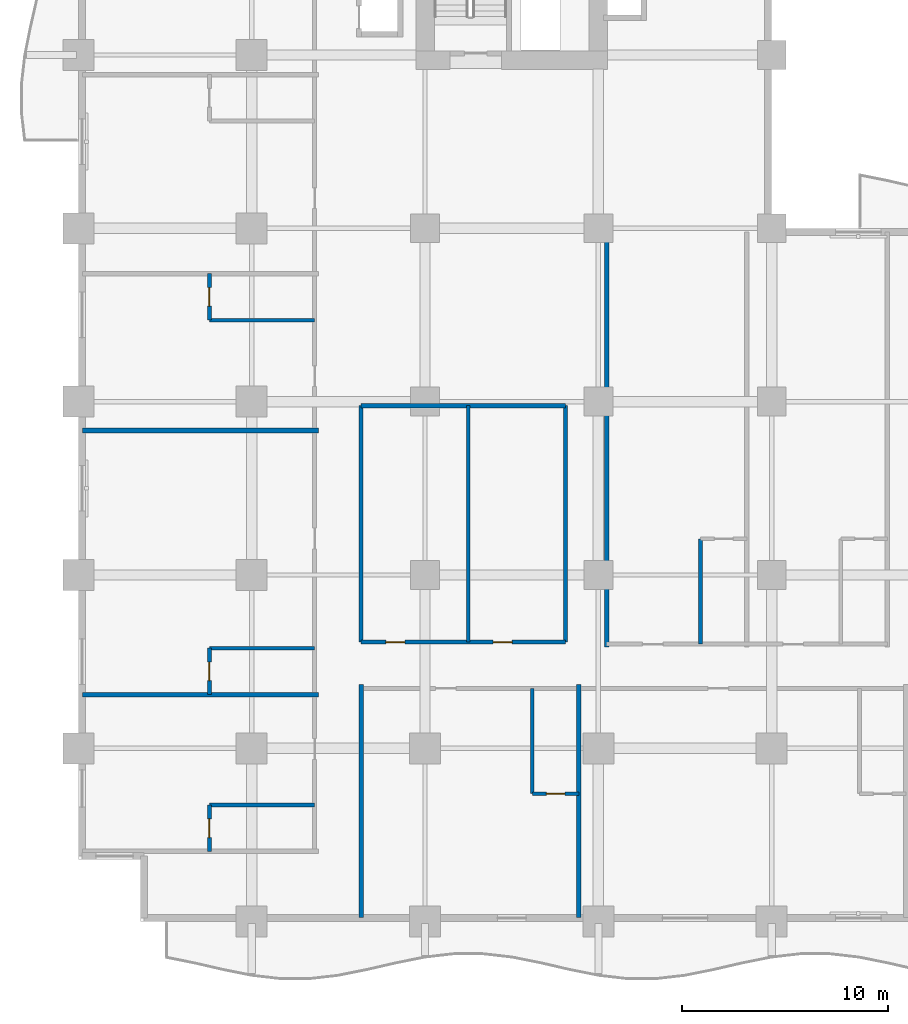
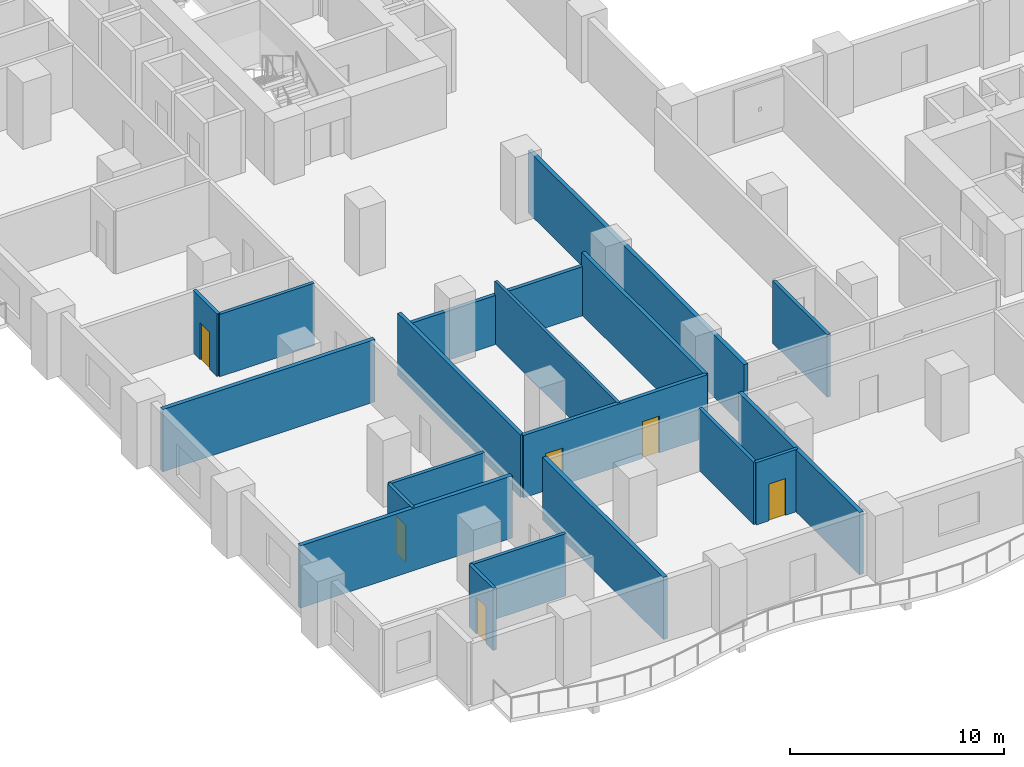
# One storey, part 4 of 20: 19 walls, 6 doors, 6 openings.
"""IFC4 building model written with IfcOpenShell, lengths in metres."""

from ifc_helpers import new_model, si_unit, direction, frame, frame_2d, origin, place, context, subcontext, project, spatial, rectangle, extrude, material, layer, layer_set, type_object, element, fill, save


model = new_model("IFC4")

# Units and contexts
model_context = context("Model", 3, precision=1e-05, world=origin(), true_north=direction((0.0, 1.0)))
body_context = subcontext(model_context, "Body", "Model", "MODEL_VIEW")
ifc_project = project(units=[si_unit("LENGTHUNIT", "METRE"), si_unit("AREAUNIT", "SQUARE_METRE"), si_unit("VOLUMEUNIT", "CUBIC_METRE"), si_unit("PLANEANGLEUNIT", "RADIAN"), si_unit("MASSUNIT", "GRAM", prefix="KILO")], contexts=[model_context])

# Site, building, storey
site_placement = place(None, origin())
site = spatial("IfcSite", under=ifc_project, at=site_placement, CompositionType="ELEMENT")
building_placement = place(site_placement, origin())
building = spatial("IfcBuilding", under=site, at=building_placement, Name="Koriwani Terraces Tower", CompositionType="ELEMENT")
storey_placement = place(building_placement, frame((0.0, 0.0, 73.800048828125)))
storey = spatial("IfcBuildingStorey", under=building, at=storey_placement, Name="L17", CompositionType="ELEMENT", Elevation=73.800048828125)

# Wall, openings, doors
ifc_material_1 = material(Name="Autoclaved Cellular Concrete Blockwork", Category="masonry")
ifc_layer_1 = layer(ifc_material_1, 0.199951171875, Name="Autoclaved Cellular Concrete Blockwork")
ifc_layer_set_1 = layer_set([ifc_layer_1], Name="Autoclaved Cellular Concrete Blockwork")
wall_type_1 = type_object("IfcWallType", Name="WALL_CORRIDOR_200", PredefinedType="PARTITIONING", material=ifc_layer_set_1)
wall_1_placement = place(storey_placement, frame((13.699951171875, 13.550048828125, 0.0), z_axis=(0.0, 0.0, 1.0), x_axis=(1.0, 0.0, 0.0)))
wall_1 = element("IfcWall", 1, at=wall_1_placement, inside=storey, type_object=wall_type_1, Name="L17 Interior Wall WHK-L17-S", PredefinedType="PARTITIONING", context=body_context, shape_type="SweptSolid", body=[
    extrude(rectangle(XDim=9.900146484375, YDim=0.199951171875, at=frame_2d((4.9501953125, 0.0))), origin(), (0.0, 0.0, 1.0), 3.550048828125),
])
opening_1_placement = place(wall_1_placement, frame((1.199951171875, 0.0, 0.0)))
opening_1 = element("IfcOpeningElement", 2, at=opening_1_placement, cuts=wall_1, Name="Opening D-06", PredefinedType="OPENING", context=body_context, shape_type="SweptSolid", body=[
    extrude(rectangle(XDim=0.919921875, YDim=2.10009765625, at=frame_2d((0.4599609375, 1.050048828125))), frame((0.0, 0.10986328125, 0.0), z_axis=(0.0, -1.0, 0.0), x_axis=(1.0, 0.0, 0.0)), (0.0, 0.0, 1.0), 0.219970703125),
])
opening_2_placement = place(wall_1_placement, frame((6.39990234375, 0.0, 0.0)))
opening_2 = element("IfcOpeningElement", 3, at=opening_2_placement, cuts=wall_1, Name="Opening D-06", PredefinedType="OPENING", context=body_context, shape_type="SweptSolid", body=[
    extrude(rectangle(XDim=0.919921875, YDim=2.10009765625, at=frame_2d((0.4599609375, 1.050048828125))), frame((0.0, 0.10986328125, 0.0), z_axis=(0.0, -1.0, 0.0), x_axis=(1.0, 0.0, 0.0)), (0.0, 0.0, 1.0), 0.219970703125),
])
ifc_material_2 = material(Name="Architectural Oak Fire Door", Category="wood")
door_type_1 = type_object("IfcDoorType", Name="DOOR_ROOM_INT_920X2100", OperationType="NOTDEFINED", PredefinedType="DOOR", material=ifc_material_2)
door_1_placement = place(opening_1_placement, origin())
door_1 = element("IfcDoor", 4, at=door_1_placement, inside=storey, type_object=door_type_1, Name="L17 Housekeeping and Linen Room Door", OperationType="SINGLE_SWING_LEFT", OverallHeight=2.10009765625, OverallWidth=0.919921875, PredefinedType="DOOR", context=body_context, shape_type="SweptSolid", body=[
    extrude(rectangle(XDim=0.919921875, YDim=2.10009765625, at=frame_2d((0.4599609375, 1.050048828125))), frame((0.0, 0.02490234375, 0.0), z_axis=(0.0, -1.0, 0.0), x_axis=(1.0, 0.0, 0.0)), (0.0, 0.0, 1.0), 0.050048828125),
])
fill(opening_1, door_1)
door_2_placement = place(opening_2_placement, origin())
door_2 = element("IfcDoor", 5, at=door_2_placement, inside=storey, type_object=door_type_1, Name="L17 Guest Study Lounge Door", OperationType="SINGLE_SWING_RIGHT", OverallHeight=2.10009765625, OverallWidth=0.919921875, PredefinedType="DOOR", context=body_context, shape_type="SweptSolid", body=[
    extrude(rectangle(XDim=0.919921875, YDim=2.10009765625, at=frame_2d((0.4599609375, 1.050048828125))), frame((0.0, 0.02490234375, 0.0), z_axis=(0.0, -1.0, 0.0), x_axis=(1.0, 0.0, 0.0)), (0.0, 0.0, 1.0), 0.050048828125),
])
fill(opening_2, door_2)

# Walls
wall_2_placement = place(storey_placement, frame((13.699951171875, 25.0, 0.0), z_axis=(0.0, 0.0, 1.0), x_axis=(1.0, 0.0, 0.0)))
element("IfcWall", 6, at=wall_2_placement, inside=storey, type_object=wall_type_1, Name="L17 Interior Wall WHK-L17-N", PredefinedType="PARTITIONING", context=body_context, shape_type="SweptSolid", body=[
    extrude(rectangle(XDim=9.900146484375, YDim=0.199951171875, at=frame_2d((4.9501953125, 0.0))), origin(), (0.0, 0.0, 1.0), 2.800048828125),
])
for number, where, z_axis, x_axis, name in (
    (7, (13.699951171875, 13.550048828125, 0.0), (0.0, 0.0, 1.0), (0.0, 1.0, 0.0), "L17 Interior Wall WHK-L17-W"),
    (8, (23.60009765625, 13.550048828125, 0.0), (0.0, 0.0, 1.0), (0.0, 1.0, 0.0), "L17 Interior Wall WHK-L17-E"),
):
    element("IfcWall", number, at=place(storey_placement, frame(where, z_axis=z_axis, x_axis=x_axis)), inside=storey, type_object=wall_type_1, Name=name, PredefinedType="PARTITIONING", context=body_context, shape_type="SweptSolid", body=[
        extrude(rectangle(XDim=11.449951171875, YDim=0.199951171875, at=frame_2d((5.72509765625, 0.0))), origin(), (0.0, 0.0, 1.0), 3.550048828125),
    ])
ifc_layer_2 = layer(ifc_material_1, 0.219970703125, Name="Autoclaved Cellular Concrete Blockwork")
ifc_layer_set_2 = layer_set([ifc_layer_2], Name="Autoclaved Cellular Concrete Blockwork")
wall_type_2 = type_object("IfcWallType", Name="WALL_DEMISING_220", PredefinedType="PARTITIONING", material=ifc_layer_set_2)
wall_3_placement = place(storey_placement, frame((25.60009765625, 13.300048828125, 0.0), z_axis=(0.0, 0.0, 1.0), x_axis=(0.0, 1.0, 0.0)))
element("IfcWall", 9, at=wall_3_placement, inside=storey, type_object=wall_type_2, Name="L17 Interior Wall WDEM-L17-SWI-0", PredefinedType="PARTITIONING", context=body_context, shape_type="SweptSolid", body=[
    extrude(rectangle(XDim=20.1298828125, YDim=0.219970703125, at=frame_2d((10.06494140625, 0.0))), origin(), (0.0, 0.0, 1.0), 3.550048828125),
])
for number, where, z_axis, x_axis, name in (
    (10, (0.199951171875, 11.0, 0.0), (0.0, 0.0, 1.0), (1.0, 0.0, 0.0), "L17 Interior Wall WDEM-L17-NW-1"),
    (11, (0.199951171875, 23.800048828125, 0.0), (0.0, 0.0, 1.0), (1.0, 0.0, 0.0), "L17 Interior Wall WDEM-L17-NW-2"),
):
    element("IfcWall", number, at=place(storey_placement, frame(where, z_axis=z_axis, x_axis=x_axis)), inside=storey, type_object=wall_type_2, Name=name, PredefinedType="PARTITIONING", context=body_context, shape_type="SweptSolid", body=[
        extrude(rectangle(XDim=11.429931640625, YDim=0.219970703125, at=frame_2d((5.71484375, 0.0))), origin(), (0.0, 0.0, 1.0), 3.550048828125),
    ])
for number, where, z_axis, x_axis, name in (
    (12, (13.699951171875, 0.199951171875, 0.0), (0.0, 0.0, 1.0), (0.0, 1.0, 0.0), "L17 Interior Wall WDEM-L17-SW-0"),
    (13, (24.25, 0.199951171875, 0.0), (0.0, 0.0, 1.0), (0.0, 1.0, 0.0), "L17 Interior Wall WDEM-L17-SW-1"),
):
    element("IfcWall", number, at=place(storey_placement, frame(where, z_axis=z_axis, x_axis=x_axis)), inside=storey, type_object=wall_type_2, Name=name, PredefinedType="PARTITIONING", context=body_context, shape_type="SweptSolid", body=[
        extrude(rectangle(XDim=11.280029296875, YDim=0.219970703125, at=frame_2d((5.64013671875, 0.0))), origin(), (0.0, 0.0, 1.0), 3.550048828125),
    ])
ifc_material_3 = material(Name="Fire-Rated Acoustic Gypsum Partition", Category="masonry")
ifc_layer_3 = layer(ifc_material_3, 0.179931640625, Name="Fire-Rated Acoustic Gypsum Partition")
ifc_layer_set_3 = layer_set([ifc_layer_3], Name="Fire-Rated Acoustic Gypsum Partition")
wall_type_3 = type_object("IfcWallType", Name="WALL_PLUMBING_180", PredefinedType="PLUMBINGWALL", material=ifc_layer_set_3)
wall_4_placement = place(storey_placement, frame((30.14990234375, 13.449951171875, 0.0), z_axis=(0.0, 0.0, 1.0), x_axis=(0.0, 1.0, 0.0)))
element("IfcWall", 14, at=wall_4_placement, inside=storey, type_object=wall_type_3, Name="L17 Interior Wall WBTH2-L17-SWI-0", PredefinedType="PLUMBINGWALL", context=body_context, shape_type="SweptSolid", body=[
    extrude(rectangle(XDim=5.10009765625, YDim=0.179931640625, at=frame_2d((2.550048828125, 0.0))), origin(), (0.0, 0.0, 1.0), 3.550048828125),
])

# Wall, opening, door
wall_5_placement = place(storey_placement, frame((6.35009765625, 3.39990234375, 0.0), z_axis=(0.0, 0.0, 1.0), x_axis=(0.0, 1.0, 0.0)))
wall_5 = element("IfcWall", 15, at=wall_5_placement, inside=storey, type_object=wall_type_3, Name="L17 Interior Wall WBTH1-L17-NW-0", PredefinedType="PLUMBINGWALL", context=body_context, shape_type="SweptSolid", body=[
    extrude(rectangle(XDim=2.25, YDim=0.179931640625, at=frame_2d((1.125, 0.0))), origin(), (0.0, 0.0, 1.0), 3.550048828125),
])
opening_3_placement = place(wall_5_placement, frame((0.675048828125, 0.0, 0.0)))
opening_3 = element("IfcOpeningElement", 16, at=opening_3_placement, cuts=wall_5, Name="Opening D-07", PredefinedType="OPENING", context=body_context, shape_type="SweptSolid", body=[
    extrude(rectangle(XDim=0.89990234375, YDim=2.10009765625, at=frame_2d((0.449951171875, 1.050048828125))), frame((0.0, 0.10009765625, 0.0), z_axis=(0.0, -1.0, 0.0), x_axis=(1.0, 0.0, 0.0)), (0.0, 0.0, 1.0), 0.199951171875),
])
door_type_2 = type_object("IfcDoorType", Name="DOOR_BATH_INT_900X2100", OperationType="NOTDEFINED", PredefinedType="DOOR", material=ifc_material_2)
door_3_placement = place(opening_3_placement, origin())
door_3 = element("IfcDoor", 17, at=door_3_placement, inside=storey, type_object=door_type_2, Name="En-Suite Bathroom 17NW1 Door", OperationType="SINGLE_SWING_RIGHT", OverallHeight=2.10009765625, OverallWidth=0.89990234375, PredefinedType="DOOR", context=body_context, shape_type="SweptSolid", body=[
    extrude(rectangle(XDim=0.89990234375, YDim=2.10009765625, at=frame_2d((0.449951171875, 1.050048828125))), frame((0.0, 0.02490234375, 0.0), z_axis=(0.0, -1.0, 0.0), x_axis=(1.0, 0.0, 0.0)), (0.0, 0.0, 1.0), 0.050048828125),
])
fill(opening_3, door_3)

# Wall
wall_6_placement = place(storey_placement, frame((6.35009765625, 5.64990234375, 0.0), z_axis=(0.0, 0.0, 1.0), x_axis=(1.0, 0.0, 0.0)))
element("IfcWall", 18, at=wall_6_placement, inside=storey, type_object=wall_type_3, Name="L17 Interior Wall WBTH2-L17-NW-0", PredefinedType="PLUMBINGWALL", context=body_context, shape_type="SweptSolid", body=[
    extrude(rectangle(XDim=5.099853515625, YDim=0.179931640625, at=frame_2d((2.5498046875, 0.0))), origin(), (0.0, 0.0, 1.0), 3.550048828125),
])

# Wall, opening, door
wall_7_placement = place(storey_placement, frame((6.35009765625, 11.0, 0.0), z_axis=(0.0, 0.0, 1.0), x_axis=(0.0, 1.0, 0.0)))
wall_7 = element("IfcWall", 19, at=wall_7_placement, inside=storey, type_object=wall_type_3, Name="L17 Interior Wall WBTH1-L17-NW-1", PredefinedType="PLUMBINGWALL", context=body_context, shape_type="SweptSolid", body=[
    extrude(rectangle(XDim=2.25, YDim=0.179931640625, at=frame_2d((1.125, 0.0))), origin(), (0.0, 0.0, 1.0), 3.550048828125),
])
opening_4_placement = place(wall_7_placement, frame((0.675048828125, 0.0, 0.0)))
opening_4 = element("IfcOpeningElement", 20, at=opening_4_placement, cuts=wall_7, Name="Opening D-07", PredefinedType="OPENING", context=body_context, shape_type="SweptSolid", body=[
    extrude(rectangle(XDim=0.89990234375, YDim=2.10009765625, at=frame_2d((0.449951171875, 1.050048828125))), frame((0.0, 0.10009765625, 0.0), z_axis=(0.0, -1.0, 0.0), x_axis=(1.0, 0.0, 0.0)), (0.0, 0.0, 1.0), 0.199951171875),
])
door_4_placement = place(opening_4_placement, origin())
door_4 = element("IfcDoor", 21, at=door_4_placement, inside=storey, type_object=door_type_2, Name="En-Suite Bathroom 17NW2 Door", OperationType="SINGLE_SWING_RIGHT", OverallHeight=2.10009765625, OverallWidth=0.89990234375, PredefinedType="DOOR", context=body_context, shape_type="SweptSolid", body=[
    extrude(rectangle(XDim=0.89990234375, YDim=2.10009765625, at=frame_2d((0.449951171875, 1.050048828125))), frame((0.0, 0.02490234375, 0.0), z_axis=(0.0, -1.0, 0.0), x_axis=(1.0, 0.0, 0.0)), (0.0, 0.0, 1.0), 0.050048828125),
])
fill(opening_4, door_4)

# Wall
wall_8_placement = place(storey_placement, frame((6.35009765625, 13.25, 0.0), z_axis=(0.0, 0.0, 1.0), x_axis=(1.0, 0.0, 0.0)))
element("IfcWall", 22, at=wall_8_placement, inside=storey, type_object=wall_type_3, Name="L17 Interior Wall WBTH2-L17-NW-1", PredefinedType="PLUMBINGWALL", context=body_context, shape_type="SweptSolid", body=[
    extrude(rectangle(XDim=5.099853515625, YDim=0.179931640625, at=frame_2d((2.5498046875, 0.0))), origin(), (0.0, 0.0, 1.0), 3.550048828125),
])

# Wall, opening, door
wall_9_placement = place(storey_placement, frame((6.35009765625, 29.14990234375, 0.0), z_axis=(0.0, 0.0, 1.0), x_axis=(0.0, 1.0, 0.0)))
wall_9 = element("IfcWall", 23, at=wall_9_placement, inside=storey, type_object=wall_type_3, Name="L17 Interior Wall WBTH1-L17-NW-2", PredefinedType="PLUMBINGWALL", context=body_context, shape_type="SweptSolid", body=[
    extrude(rectangle(XDim=2.25, YDim=0.179931640625, at=frame_2d((1.125, 0.0))), origin(), (0.0, 0.0, 1.0), 3.550048828125),
])
opening_5_placement = place(wall_9_placement, frame((0.675048828125, 0.0, 0.0)))
opening_5 = element("IfcOpeningElement", 24, at=opening_5_placement, cuts=wall_9, Name="Opening D-07", PredefinedType="OPENING", context=body_context, shape_type="SweptSolid", body=[
    extrude(rectangle(XDim=0.89990234375, YDim=2.10009765625, at=frame_2d((0.449951171875, 1.050048828125))), frame((0.0, 0.10009765625, 0.0), z_axis=(0.0, -1.0, 0.0), x_axis=(1.0, 0.0, 0.0)), (0.0, 0.0, 1.0), 0.199951171875),
])
door_5_placement = place(opening_5_placement, origin())
door_5 = element("IfcDoor", 25, at=door_5_placement, inside=storey, type_object=door_type_2, Name="En-Suite Bathroom 17NW3 Door", OperationType="SINGLE_SWING_RIGHT", OverallHeight=2.10009765625, OverallWidth=0.89990234375, PredefinedType="DOOR", context=body_context, shape_type="SweptSolid", body=[
    extrude(rectangle(XDim=0.89990234375, YDim=2.10009765625, at=frame_2d((0.449951171875, 1.050048828125))), frame((0.0, 0.02490234375, 0.0), z_axis=(0.0, -1.0, 0.0), x_axis=(1.0, 0.0, 0.0)), (0.0, 0.0, 1.0), 0.050048828125),
])
fill(opening_5, door_5)

# Wall
wall_10_placement = place(storey_placement, frame((6.35009765625, 29.14990234375, 0.0), z_axis=(0.0, 0.0, 1.0), x_axis=(1.0, 0.0, 0.0)))
element("IfcWall", 26, at=wall_10_placement, inside=storey, type_object=wall_type_3, Name="L17 Interior Wall WBTH2-L17-NW-2", PredefinedType="PLUMBINGWALL", context=body_context, shape_type="SweptSolid", body=[
    extrude(rectangle(XDim=5.099853515625, YDim=0.179931640625, at=frame_2d((2.5498046875, 0.0))), origin(), (0.0, 0.0, 1.0), 3.550048828125),
])

# Wall, opening, door
wall_11_placement = place(storey_placement, frame((22.0, 6.199951171875, 0.0), z_axis=(0.0, 0.0, 1.0), x_axis=(1.0, 0.0, 0.0)))
wall_11 = element("IfcWall", 27, at=wall_11_placement, inside=storey, type_object=wall_type_3, Name="L17 Interior Wall WBTH1-L17-SW-0", PredefinedType="PLUMBINGWALL", context=body_context, shape_type="SweptSolid", body=[
    extrude(rectangle(XDim=2.25, YDim=0.179931640625, at=frame_2d((1.125, 0.0))), origin(), (0.0, 0.0, 1.0), 3.550048828125),
])
opening_6_placement = place(wall_11_placement, frame((0.675048828125, 0.0, 0.0)))
opening_6 = element("IfcOpeningElement", 28, at=opening_6_placement, cuts=wall_11, Name="Opening D-07", PredefinedType="OPENING", context=body_context, shape_type="SweptSolid", body=[
    extrude(rectangle(XDim=0.89990234375, YDim=2.10009765625, at=frame_2d((0.449951171875, 1.050048828125))), frame((0.0, 0.10009765625, 0.0), z_axis=(0.0, -1.0, 0.0), x_axis=(1.0, 0.0, 0.0)), (0.0, 0.0, 1.0), 0.199951171875),
])
door_6_placement = place(opening_6_placement, origin())
door_6 = element("IfcDoor", 29, at=door_6_placement, inside=storey, type_object=door_type_2, Name="En-Suite Bathroom 17SW1 Door", OperationType="SINGLE_SWING_RIGHT", OverallHeight=2.10009765625, OverallWidth=0.89990234375, PredefinedType="DOOR", context=body_context, shape_type="SweptSolid", body=[
    extrude(rectangle(XDim=0.89990234375, YDim=2.10009765625, at=frame_2d((0.449951171875, 1.050048828125))), frame((0.0, 0.02490234375, 0.0), z_axis=(0.0, -1.0, 0.0), x_axis=(1.0, 0.0, 0.0)), (0.0, 0.0, 1.0), 0.050048828125),
])
fill(opening_6, door_6)

# Walls
wall_12_placement = place(storey_placement, frame((22.0, 6.199951171875, 0.0), z_axis=(0.0, 0.0, 1.0), x_axis=(0.0, 1.0, 0.0)))
element("IfcWall", 30, at=wall_12_placement, inside=storey, type_object=wall_type_3, Name="L17 Interior Wall WBTH2-L17-SW-0", PredefinedType="PLUMBINGWALL", context=body_context, shape_type="SweptSolid", body=[
    extrude(rectangle(XDim=5.10009765625, YDim=0.179931640625, at=frame_2d((2.550048828125, 0.0))), origin(), (0.0, 0.0, 1.0), 3.550048828125),
])
ifc_layer_4 = layer(ifc_material_3, 0.159912109375, Name="Fire-Rated Acoustic Gypsum Partition")
ifc_layer_set_4 = layer_set([ifc_layer_4], Name="Fire-Rated Acoustic Gypsum Partition")
wall_type_4 = type_object("IfcWallType", Name="WALL_SUITE_160", PredefinedType="PARTITIONING", material=ifc_layer_set_4)
wall_13_placement = place(storey_placement, frame((18.89990234375, 13.550048828125, 0.0), z_axis=(0.0, 0.0, 1.0), x_axis=(0.0, 1.0, 0.0)))
element("IfcWall", 31, at=wall_13_placement, inside=storey, type_object=wall_type_4, Name="L17 Interior Wall WHK-L17-M", PredefinedType="PARTITIONING", context=body_context, shape_type="SweptSolid", body=[
    extrude(rectangle(XDim=11.449951171875, YDim=0.159912109375, at=frame_2d((5.72509765625, 0.0))), origin(), (0.0, 0.0, 1.0), 3.550048828125),
])

save(model, "model.ifc")
